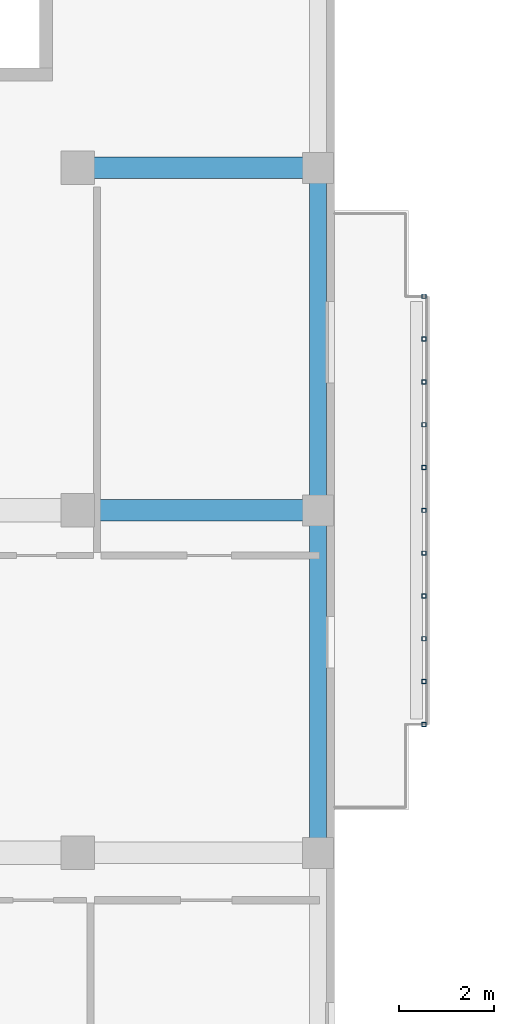
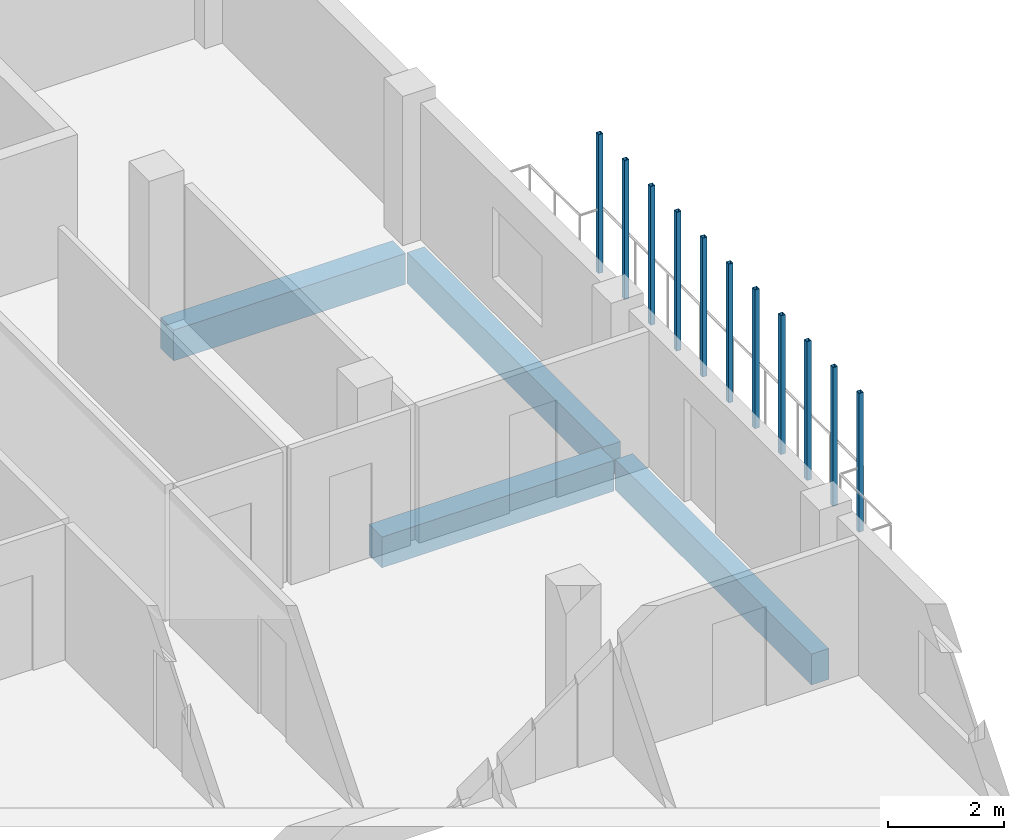
# One storey, part 14 of 56: 11 members, 4 beams.
"""IFC4 building model written with IfcOpenShell, lengths in metres."""

import ifcopenshell
import ifcopenshell.guid

model = None  # the IFC model being written
_history = None  # IfcOwnerHistory: only IFC2X3 demands one
_inside = {}  # id of a spatial element -> (the spatial element, [elements in it])
_under = {}  # id of a project, library or spatial element -> (it, [spatial elements below it])
_declared = {}  # id of a project -> (the project, [libraries it declares])
_typed = {}  # id of a type object -> (the type object, [elements of that type])
_made_of = {}  # id of a material, layer set ... -> (it, [elements and type objects made of it])


def new_model(schema):
    """Start an empty IFC model of exactly this schema.

    Asked for "IFC4X3", IfcOpenShell would pick the latest addendum, in which some entities
    have other attributes; the version numbers below select the first issue.
    IFC2X3 requires an IfcOwnerHistory on every rooted entity: one is made here for all.
    """
    global model, _history
    if schema == "IFC4X3":
        model = ifcopenshell.file(schema_version=(4, 3, 0, 0))
    else:
        model = ifcopenshell.file(schema=schema)
    _inside.clear()
    _under.clear()
    _declared.clear()
    _typed.clear()
    _made_of.clear()
    _history = None
    if model.schema == "IFC2X3":
        org = make("IfcOrganization", Name="unknown")
        user = make(
            "IfcPersonAndOrganization",
            ThePerson=make("IfcPerson", FamilyName="unknown"),
            TheOrganization=org,
        )
        app = make(
            "IfcApplication",
            ApplicationDeveloper=org,
            Version="unknown",
            ApplicationFullName="unknown",
            ApplicationIdentifier="unknown",
        )
        _history = make(
            "IfcOwnerHistory",
            OwningUser=user,
            OwningApplication=app,
            ChangeAction="ADDED",
            CreationDate=0,
        )
    return model


def make(cls, **values):
    """One entity of the class cls with the attributes given. An attribute that is None is left unset."""
    return model.create_entity(
        cls, **{name: value for name, value in values.items() if value is not None}
    )


def rooted(cls, **values):
    """An entity with a GlobalId (a new one), such as an element, a storey or a relation."""
    return make(cls, GlobalId=ifcopenshell.guid.new(), OwnerHistory=_history, **values)


def si_unit(unit_type, name, prefix=None):
    """IfcSIUnit, for example si_unit("LENGTHUNIT", "METRE", prefix="MILLI")."""
    return make("IfcSIUnit", UnitType=unit_type, Prefix=prefix, Name=name)


def derived_unit(unit_type, elements):
    """IfcDerivedUnit: a product of units, each with its exponent."""
    return make(
        "IfcDerivedUnit",
        Elements=[
            make("IfcDerivedUnitElement", Unit=unit, Exponent=power)
            for unit, power in elements
        ],
        UnitType=unit_type,
    )


def assignment(units):
    """IfcUnitAssignment: the units of a project."""
    return None if units is None else make("IfcUnitAssignment", Units=units)


def point(xyz):
    """IfcCartesianPoint."""
    return None if xyz is None else make("IfcCartesianPoint", Coordinates=xyz)


def direction(xyz):
    """IfcDirection."""
    return None if xyz is None else make("IfcDirection", DirectionRatios=xyz)


def frame(location, z_axis=None, x_axis=None):
    """IfcAxis2Placement3D, a coordinate frame: its origin and axes. An axis left out is left unset."""
    return make(
        "IfcAxis2Placement3D",
        Location=point(location),
        Axis=direction(z_axis),
        RefDirection=direction(x_axis),
    )


def frame_2d(location, x_axis=None):
    """IfcAxis2Placement2D, a coordinate frame in the plane: its origin and x axis."""
    return make(
        "IfcAxis2Placement2D", Location=point(location), RefDirection=direction(x_axis)
    )


def origin():
    """The frame at (0, 0, 0) with its axes left unset."""
    return frame((0.0, 0.0, 0.0))


def origin_2d():
    """The frame at (0, 0) in the plane with its x axis left unset."""
    return frame_2d((0.0, 0.0))


def place(relative_to, where):
    """IfcLocalPlacement: puts the frame where relative to a parent placement (None: the world)."""
    return make(
        "IfcLocalPlacement", PlacementRelTo=relative_to, RelativePlacement=where
    )


def context(
    kind, dimensions, precision=None, world=None, true_north=None, identifier=None
):
    """IfcGeometricRepresentationContext, for example the 3D "Model" context."""
    return make(
        "IfcGeometricRepresentationContext",
        ContextIdentifier=identifier,
        ContextType=kind,
        CoordinateSpaceDimension=dimensions,
        Precision=precision,
        WorldCoordinateSystem=world,
        TrueNorth=true_north,
    )


def subcontext(parent, identifier, kind, view, scale=None):
    """IfcGeometricRepresentationSubContext, for example "Body" below "Model"."""
    return make(
        "IfcGeometricRepresentationSubContext",
        ContextIdentifier=identifier,
        ContextType=kind,
        ParentContext=parent,
        TargetScale=scale,
        TargetView=view,
    )


def project(units=None, contexts=None):
    """IfcProject with its units and contexts."""
    return rooted(
        "IfcProject",
        Name="project",
        RepresentationContexts=contexts,
        UnitsInContext=assignment(units),
    )


def spatial(cls, under=None, at=None, **own):
    """A site, building, storey or space (cls), placed at a placement, below another one or the project."""
    s = rooted(cls, ObjectPlacement=at, **own)
    if under is not None:
        _under.setdefault(under.id(), (under, []))[1].append(s)
    return s


def profile(cls, at=None, kind="AREA", **sizes):
    """A parametric profile (cls). Its sizes go by their IFC names, for example OverallWidth=200.0."""
    return make(cls, ProfileType=kind, Position=at, **sizes)


def rectangle(**sizes):
    """IfcRectangleProfileDef."""
    return profile("IfcRectangleProfileDef", **sizes)


def hollow_rectangle(**sizes):
    """IfcRectangleHollowProfileDef."""
    return profile("IfcRectangleHollowProfileDef", **sizes)


def extrude(swept, where, along, depth):
    """IfcExtrudedAreaSolid: the profile swept, set in the frame where, extruded along a direction by depth."""
    return make(
        "IfcExtrudedAreaSolid",
        SweptArea=swept,
        Position=where,
        ExtrudedDirection=direction(along),
        Depth=depth,
    )


def shape(context_of_items, identifier, shape_type, items):
    """IfcShapeRepresentation: the items that make up one representation, for example the "Body"."""
    return make(
        "IfcShapeRepresentation",
        ContextOfItems=context_of_items,
        RepresentationIdentifier=identifier,
        RepresentationType=shape_type,
        Items=items,
    )


def material(Name=None, Category=None):
    """IfcMaterial."""
    return make("IfcMaterial", Name=Name, Category=Category)


def material_profile(
    of_material, cross_section, Name=None, Category=None, Priority=None
):
    """IfcMaterialProfile: a cross section and its material."""
    return make(
        "IfcMaterialProfile",
        Name=Name,
        Material=of_material,
        Profile=cross_section,
        Priority=Priority,
        Category=Category,
    )


def profile_set(profiles, Name=None, composite=None):
    """IfcMaterialProfileSet."""
    return make(
        "IfcMaterialProfileSet",
        Name=Name,
        MaterialProfiles=profiles,
        CompositeProfile=composite,
    )


def made_of(thing, what):
    """Note that an element or type object is made of a material, layer set ...; save() writes the relation."""
    if what is not None:
        _made_of.setdefault(what.id(), (what, []))[1].append(thing)
    return thing


def type_object(cls, material=None, **own):
    """A type object (cls), such as IfcWallType, which elements share."""
    return made_of(rooted(cls, **own), material)


def element(
    cls,
    number,
    at=None,
    inside=None,
    cuts=None,
    type_object=None,
    material=None,
    context=None,
    identifier="Body",
    shape_type=None,
    held_by="IfcProductDefinitionShape",
    body=None,
    shapes=None,
    **own,
):
    """One element of the class cls, such as IfcWall. Its Tag is "e" and its number.

    at: its placement. inside: the storey or other place that contains it. cuts: it is an
    opening in that element (IfcRelVoidsElement). A single representation is given by context,
    identifier, shape_type and body (its items); several are given by shapes. held_by: the class
    of the entity that holds the representations. save() writes the other relations.
    """
    e = rooted(cls, Tag="e%d" % number, ObjectPlacement=at, **own)
    if body is not None:
        shapes = [shape(context, identifier, shape_type, body)]
    if shapes is not None:
        e.Representation = make(held_by, Representations=shapes)
    if inside is not None:
        _inside.setdefault(inside.id(), (inside, []))[1].append(e)
    if cuts is not None:
        rooted(
            "IfcRelVoidsElement", RelatingBuildingElement=cuts, RelatedOpeningElement=e
        )
    if type_object is not None:
        _typed.setdefault(type_object.id(), (type_object, []))[1].append(e)
    return made_of(e, material)


def aggregate(whole, parts):
    """IfcRelAggregates: a whole, such as a stair, and the parts it consists of."""
    return rooted("IfcRelAggregates", RelatingObject=whole, RelatedObjects=parts)


def save(model, path):
    """Write the relations noted so far, then the file.

    IfcRelAggregates (storeys below a building ...), IfcRelContainedInSpatialStructure (elements
    in a storey), IfcRelDefinesByType, IfcRelAssociatesMaterial and IfcRelDeclares: one each for
    every whole, place, type object, material and project.
    """
    for whole, parts in _under.values():
        aggregate(whole, parts)
    for where, things in _inside.values():
        rooted(
            "IfcRelContainedInSpatialStructure",
            RelatedElements=things,
            RelatingStructure=where,
        )
    for kind, things in _typed.values():
        rooted("IfcRelDefinesByType", RelatedObjects=things, RelatingType=kind)
    for what, things in _made_of.values():
        rooted("IfcRelAssociatesMaterial", RelatedObjects=things, RelatingMaterial=what)
    for by, libraries in _declared.values():
        rooted("IfcRelDeclares", RelatingContext=by, RelatedDefinitions=libraries)
    model.write(path)


model = new_model("IFC4")

# Units and contexts
model_context = context("Model", 3, precision=1e-05, world=origin(), true_north=direction((0.0, 1.0)))
body_context = subcontext(model_context, "Body", "Model", "MODEL_VIEW")
ifc_project = project(units=[si_unit("LENGTHUNIT", "METRE"), si_unit("AREAUNIT", "SQUARE_METRE"), si_unit("VOLUMEUNIT", "CUBIC_METRE"), si_unit("PLANEANGLEUNIT", "RADIAN"), si_unit("MASSUNIT", "GRAM", prefix="KILO"), derived_unit("THERMALTRANSMITTANCEUNIT", [(si_unit("MASSUNIT", "GRAM", prefix="KILO"), 1), (si_unit("TIMEUNIT", "SECOND"), -3), (si_unit("THERMODYNAMICTEMPERATUREUNIT", "KELVIN"), -1)])], contexts=[model_context])

# Site, building, storey
site_placement = place(None, origin())
site = spatial("IfcSite", under=ifc_project, at=site_placement, CompositionType="ELEMENT")
building_placement = place(site_placement, origin())
building = spatial("IfcBuilding", under=site, at=building_placement, Name="Ochrekiln Boulevard Commons", CompositionType="ELEMENT")
storey_placement = place(building_placement, frame((0.0, 0.0, 12.074951171875)))
storey = spatial("IfcBuildingStorey", under=building, at=storey_placement, Name="L03", CompositionType="ELEMENT", Elevation=12.074951171875)

# Beams
ifc_material_1 = material(Name="Concrete C35/45", Category="concrete")
ifc_material_profile_1 = material_profile(ifc_material_1, rectangle(XDim=0.449951171875, YDim=0.64990234375, at=origin_2d()), Name="RC-BM-450x650")
ifc_profile_set_1 = profile_set([ifc_material_profile_1], Name="Concrete C35/45")
beam_type_1 = type_object("IfcBeamType", Name="BM-RC-450x650", PredefinedType="BEAM", material=ifc_profile_set_1)
for number, where, z_axis, x_axis, name in (
    (1, (16.409912109375, 104.39990234375, -0.5849609375), (1.0, 0.0, 0.0), (0.0, 1.0, 0.0), "Block A L03 Beam B-4565 X17"),
    (2, (16.409912109375, 111.60009765625, -0.5849609375), (1.0, 0.0, 0.0), (0.0, 1.0, 0.0), "Block A L03 Beam B-4565 X19"),
):
    element("IfcBeam", number, at=place(storey_placement, frame(where, z_axis=z_axis, x_axis=x_axis)), inside=storey, type_object=beam_type_1, Name=name, PredefinedType="BEAM", context=body_context, shape_type="SweptSolid", body=[
        extrude(rectangle(XDim=0.449951171875, YDim=0.64990234375, at=origin_2d()), origin(), (0.0, 0.0, 1.0), 4.630126953125),
    ])

# Members
ifc_material_2 = material(Name="Steel A500 Grade C", Category="steel")
ifc_material_profile_2 = material_profile(ifc_material_2, hollow_rectangle(XDim=0.090087890625, YDim=0.090087890625, WallThickness=0.00634765625, at=origin_2d()), Name="HSS90X90X6.4")
ifc_profile_set_2 = profile_set([ifc_material_profile_2], Name="Steel A500 Grade C")
member_type = type_object("IfcMemberType", Name="MEM-PST-HSS90", PredefinedType="POST", material=ifc_profile_set_2)
for number, where, z_axis, x_axis, name in (
    (3, (23.47998046875, 99.89990234375, 0.0), (0.0, 0.0, 1.0), (1.0, 0.0, 0.0), "Block A L03 Slim Vertical Balcony Post (78)"),
    (4, (23.47998046875, 100.800048828125, 0.0), (0.0, 0.0, 1.0), (1.0, 0.0, 0.0), "Block A L03 Slim Vertical Balcony Post (79)"),
    (5, (23.47998046875, 101.699951171875, 0.0), (0.0, 0.0, 1.0), (1.0, 0.0, 0.0), "Block A L03 Slim Vertical Balcony Post (80)"),
    (6, (23.47998046875, 102.60009765625, 0.0), (0.0, 0.0, 1.0), (1.0, 0.0, 0.0), "Block A L03 Slim Vertical Balcony Post (81)"),
    (7, (23.47998046875, 103.5, 0.0), (0.0, 0.0, 1.0), (1.0, 0.0, 0.0), "Block A L03 Slim Vertical Balcony Post (82)"),
    (8, (23.47998046875, 104.39990234375, 0.0), (0.0, 0.0, 1.0), (1.0, 0.0, 0.0), "Block A L03 Slim Vertical Balcony Post (83)"),
    (9, (23.47998046875, 105.300048828125, 0.0), (0.0, 0.0, 1.0), (1.0, 0.0, 0.0), "Block A L03 Slim Vertical Balcony Post (84)"),
    (10, (23.47998046875, 106.199951171875, 0.0), (0.0, 0.0, 1.0), (1.0, 0.0, 0.0), "Block A L03 Slim Vertical Balcony Post (85)"),
    (11, (23.47998046875, 107.10009765625, 0.0), (0.0, 0.0, 1.0), (1.0, 0.0, 0.0), "Block A L03 Slim Vertical Balcony Post (86)"),
    (12, (23.47998046875, 108.0, 0.0), (0.0, 0.0, 1.0), (1.0, 0.0, 0.0), "Block A L03 Slim Vertical Balcony Post (87)"),
    (13, (23.47998046875, 108.89990234375, 0.0), (0.0, 0.0, 1.0), (1.0, 0.0, 0.0), "Block A L03 Slim Vertical Balcony Post (88)"),
):
    element("IfcMember", number, at=place(storey_placement, frame(where, z_axis=z_axis, x_axis=x_axis)), inside=storey, type_object=member_type, Name=name, PredefinedType="POST", context=body_context, shape_type="SweptSolid", body=[
        extrude(hollow_rectangle(XDim=0.090087890625, YDim=0.090087890625, WallThickness=0.00634765625, at=origin_2d()), origin(), (0.0, 0.0, 1.0), 2.929931640625),
    ])

# Beams
ifc_material_3 = material(Name="Concrete C40/50", Category="concrete")
ifc_material_profile_3 = material_profile(ifc_material_3, rectangle(XDim=0.35009765625, YDim=0.64990234375, at=origin_2d()), Name="RC-SPN-350x650")
ifc_profile_set_3 = profile_set([ifc_material_profile_3], Name="Concrete C40/50")
beam_type_2 = type_object("IfcBeamType", Name="SPN-RC-350x650", PredefinedType="SPANDREL", material=ifc_profile_set_3)
beam_1_placement = place(storey_placement, frame((21.25, 97.409912109375, -0.5849609375), z_axis=(0.0, 1.0, 0.0), x_axis=(-1.0, 0.0, 0.0)))
element("IfcBeam", 14, at=beam_1_placement, inside=storey, type_object=beam_type_2, Name="Block A L03 Beam SP-3565 Y34", PredefinedType="SPANDREL", context=body_context, shape_type="SweptSolid", body=[
    extrude(rectangle(XDim=0.35009765625, YDim=0.64990234375, at=origin_2d()), origin(), (0.0, 0.0, 1.0), 6.780029296875),
])
beam_2_placement = place(storey_placement, frame((21.25, 104.610107421875, -0.5849609375), z_axis=(0.0, 1.0, 0.0), x_axis=(-1.0, 0.0, 0.0)))
element("IfcBeam", 15, at=beam_2_placement, inside=storey, type_object=beam_type_2, Name="Block A L03 Beam SP-3565 Y35", PredefinedType="SPANDREL", context=body_context, shape_type="SweptSolid", body=[
    extrude(rectangle(XDim=0.35009765625, YDim=0.64990234375, at=origin_2d()), origin(), (0.0, 0.0, 1.0), 6.77978515625),
])

save(model, "model.ifc")
